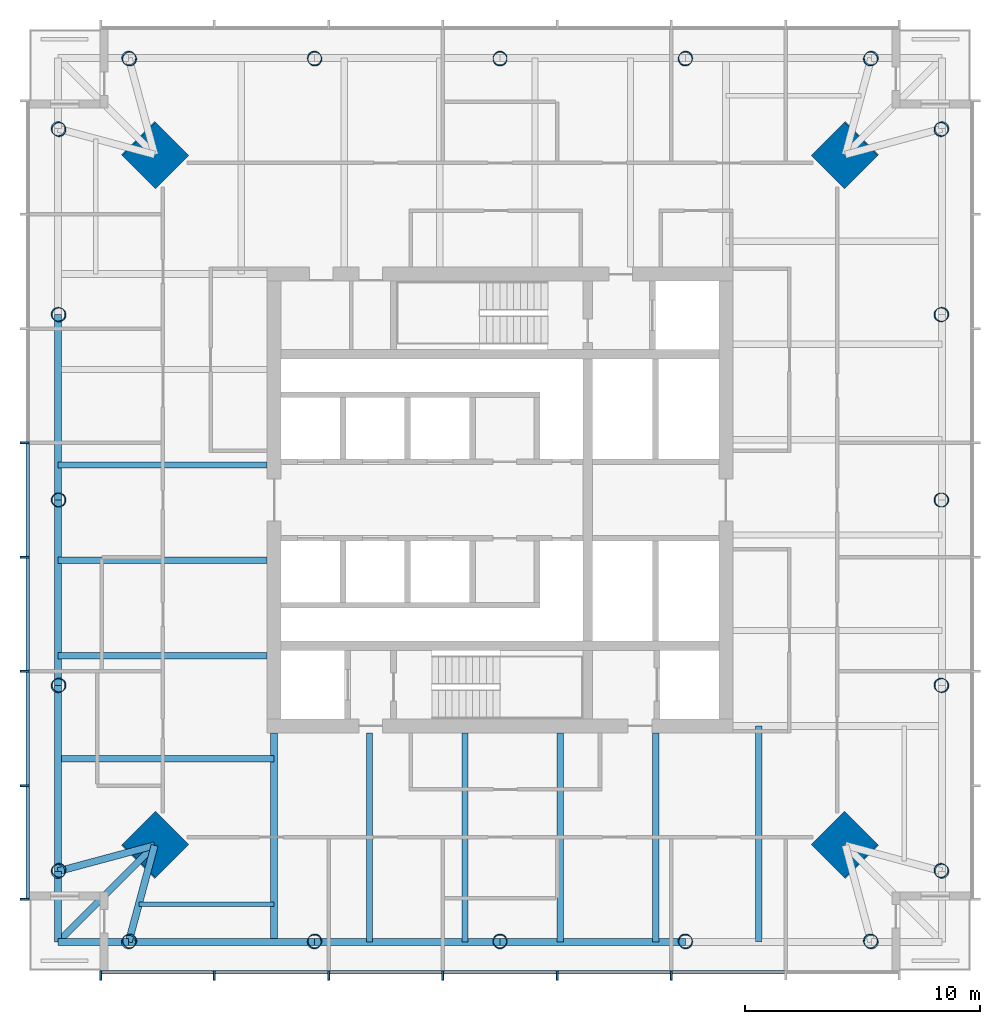
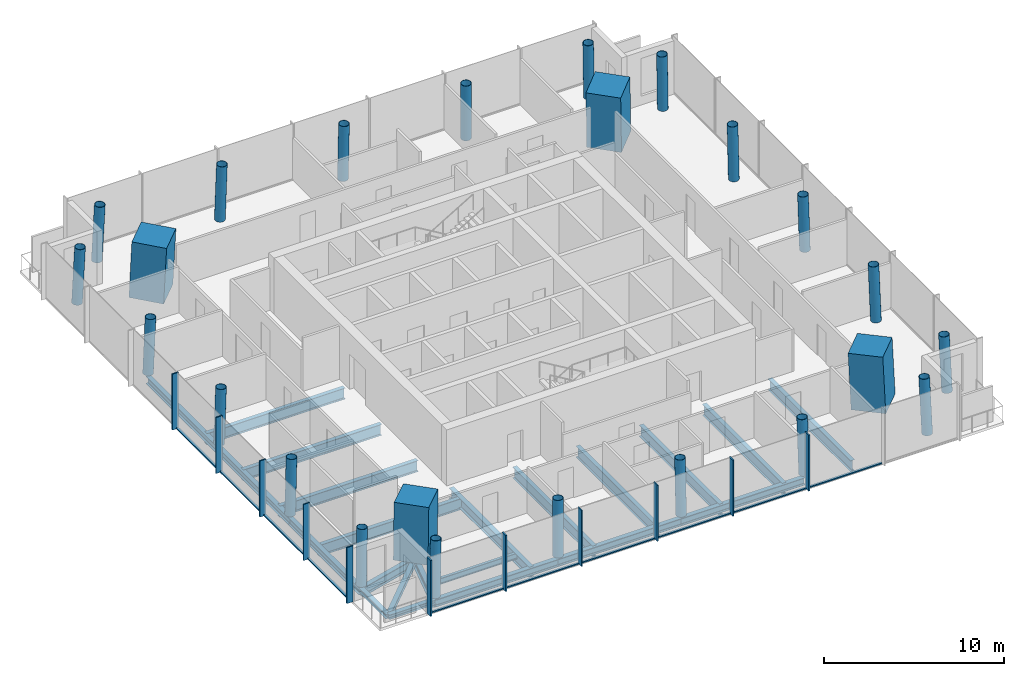
# One storey, part 1 of 7: 24 columns, 22 beams, 21 members, 2 elements without a shape of their own.
"""IFC4 building model written with IfcOpenShell, lengths in metres."""

from ifc_helpers import new_model, si_unit, direction, frame, origin, origin_2d, place, context, subcontext, project, spatial, rectangle, hollow_circle, i_section, extrude, material, material_profile, profile_set, type_object, element, aggregate, save


model = new_model("IFC4")

# Units and contexts
model_context = context("Model", 3, precision=1e-05, world=origin(), true_north=direction((0.0, 1.0)))
body_context = subcontext(model_context, "Body", "Model", "MODEL_VIEW")
ifc_project = project(units=[si_unit("LENGTHUNIT", "METRE"), si_unit("AREAUNIT", "SQUARE_METRE"), si_unit("VOLUMEUNIT", "CUBIC_METRE"), si_unit("PLANEANGLEUNIT", "RADIAN"), si_unit("MASSUNIT", "GRAM", prefix="KILO")], contexts=[model_context])

# Site, building, storey
site_placement = place(None, origin())
site = spatial("IfcSite", under=ifc_project, at=site_placement, CompositionType="ELEMENT")
building_placement = place(site_placement, origin())
building = spatial("IfcBuilding", under=site, at=building_placement, Name="Ostroluk Exchange", CompositionType="ELEMENT")
storey_placement = place(building_placement, frame((0.0, 0.0, 184.39990234375)))
storey = spatial("IfcBuildingStorey", under=building, at=storey_placement, Name="L47", CompositionType="ELEMENT", Elevation=184.39990234375)

# Columns
ifc_material_1 = material(Name="Concrete C50/60", Category="concrete")
ifc_material_profile_1 = material_profile(ifc_material_1, rectangle(XDim=2.0, YDim=2.0, at=origin_2d()), Name="RC 2000x2000")
ifc_profile_set_1 = profile_set([ifc_material_profile_1], Name="Concrete C50/60")
column_type_1 = type_object("IfcColumnType", Name="Mega column RC 2000x2000", PredefinedType="COLUMN", material=ifc_profile_set_1)
for number, where, z_axis, x_axis, name in (
    (1, (59.678466796875, 60.678466796875, 0.0), (-0.031898107953, -0.031898107953, 0.998981992539), (0.707106781187, -0.707106781187, 0.0), "T1 mega column NE"),
    (2, (30.321533203125, 60.678466796875, 0.0), (0.031898107953, -0.031898107953, 0.998981992539), (0.707106781187, 0.707106781187, 0.0), "T1 mega column NW"),
    (3, (30.321533203125, 31.321533203125, 0.0), (0.031898107953, 0.031898107953, 0.998981992539), (-0.707106781187, 0.707106781187, 0.0), "T1 mega column SW"),
    (4, (59.678466796875, 31.321533203125, 0.0), (-0.031898107953, 0.031898107953, 0.998981992539), (-0.707106781187, -0.707106781187, 0.0), "T1 mega column SE"),
):
    element("IfcColumn", number, at=place(storey_placement, frame(where, z_axis=z_axis, x_axis=x_axis)), inside=storey, type_object=column_type_1, Name=name, PredefinedType="COLUMN", context=body_context, shape_type="SweptSolid", body=[
        extrude(rectangle(XDim=2.0, YDim=2.0, at=origin_2d()), origin(), (0.0, 0.0, 1.0), 3.803955078125),
    ])
ifc_material_2 = material(Name="Steel S460", Category="steel")
ifc_material_profile_2 = material_profile(ifc_material_2, hollow_circle(Radius=0.304931640625, WallThickness=0.02490234375, at=origin_2d()), Name="CHS 610x25")
ifc_profile_set_2 = profile_set([ifc_material_profile_2], Name="Steel S460")
column_type_2 = type_object("IfcColumnType", Name="Perimeter column CHS 610x25", PredefinedType="COLUMN", material=ifc_profile_set_2)
for number, where, z_axis, x_axis, name in (
    (5, (63.778564453125, 30.221435546875, 0.0), (-0.031898107953, 0.031898107953, 0.998981992539), (-0.707106781187, -0.707106781187, 0.0), "T1 east face column E0"),
    (6, (63.778564453125, 61.778564453125, 0.0), (-0.031898107953, -0.031898107953, 0.998981992539), (0.707106781187, -0.707106781187, 0.0), "T1 east face column E1"),
):
    element("IfcColumn", number, at=place(storey_placement, frame(where, z_axis=z_axis, x_axis=x_axis)), inside=storey, type_object=column_type_2, Name=name, PredefinedType="COLUMN", context=body_context, shape_type="SweptSolid", body=[
        extrude(hollow_circle(Radius=0.304931640625, WallThickness=0.02490234375, at=origin_2d()), origin(), (0.0, 0.0, 1.0), 3.803955078125),
    ])
column_1_placement = place(storey_placement, frame((63.778564453125, 38.110595703125, 0.0), z_axis=(-0.031910269556, 0.015987237665, 0.999362868496), x_axis=(-0.447933021895, -0.894067115991, 0.0)))
element("IfcColumn", 7, at=column_1_placement, inside=storey, type_object=column_type_2, Name="T1 east face column I1", PredefinedType="COLUMN", context=body_context, shape_type="SweptSolid", body=[
    extrude(hollow_circle(Radius=0.304931640625, WallThickness=0.02490234375, at=origin_2d()), origin(), (0.0, 0.0, 1.0), 3.802490234375),
])
column_2_placement = place(storey_placement, frame((63.778564453125, 46.0, 0.0), z_axis=(-0.031914348339, 0.0, 0.999490607445), x_axis=(0.0, -1.0, 0.0)))
element("IfcColumn", 8, at=column_2_placement, inside=storey, type_object=column_type_2, Name="T1 east face column I2", PredefinedType="COLUMN", context=body_context, shape_type="SweptSolid", body=[
    extrude(hollow_circle(Radius=0.304931640625, WallThickness=0.02490234375, at=origin_2d()), origin(), (0.0, 0.0, 1.0), 3.802001953125),
])
column_3_placement = place(storey_placement, frame((63.778564453125, 53.889404296875, 0.0), z_axis=(-0.031910269556, -0.015987237665, 0.999362868496), x_axis=(0.447933021895, -0.894067115991, 0.0)))
element("IfcColumn", 9, at=column_3_placement, inside=storey, type_object=column_type_2, Name="T1 east face column I3", PredefinedType="COLUMN", context=body_context, shape_type="SweptSolid", body=[
    extrude(hollow_circle(Radius=0.304931640625, WallThickness=0.02490234375, at=origin_2d()), origin(), (0.0, 0.0, 1.0), 3.802490234375),
])
for number, where, z_axis, x_axis, name in (
    (10, (60.778564453125, 64.778564453125, 0.0), (-0.031898107953, -0.031898107953, 0.998981992539), (0.707106781187, -0.707106781187, 0.0), "T1 north face column E0"),
    (11, (29.221435546875, 64.778564453125, 0.0), (0.031898107953, -0.031898107953, 0.998981992539), (0.707106781187, 0.707106781187, 0.0), "T1 north face column E1"),
):
    element("IfcColumn", number, at=place(storey_placement, frame(where, z_axis=z_axis, x_axis=x_axis)), inside=storey, type_object=column_type_2, Name=name, PredefinedType="COLUMN", context=body_context, shape_type="SweptSolid", body=[
        extrude(hollow_circle(Radius=0.304931640625, WallThickness=0.02490234375, at=origin_2d()), origin(), (0.0, 0.0, 1.0), 3.803955078125),
    ])
column_4_placement = place(storey_placement, frame((52.889404296875, 64.778564453125, 0.0), z_axis=(-0.015987237665, -0.031910269556, 0.999362868496), x_axis=(0.894067115991, -0.447933021895, 0.0)))
element("IfcColumn", 12, at=column_4_placement, inside=storey, type_object=column_type_2, Name="T1 north face column I1", PredefinedType="COLUMN", context=body_context, shape_type="SweptSolid", body=[
    extrude(hollow_circle(Radius=0.304931640625, WallThickness=0.02490234375, at=origin_2d()), origin(), (0.0, 0.0, 1.0), 3.802490234375),
])
column_5_placement = place(storey_placement, frame((45.0, 64.778564453125, 0.0), z_axis=(0.0, -0.031914348339, 0.999490607445), x_axis=(1.0, 0.0, 0.0)))
element("IfcColumn", 13, at=column_5_placement, inside=storey, type_object=column_type_2, Name="T1 north face column I2", PredefinedType="COLUMN", context=body_context, shape_type="SweptSolid", body=[
    extrude(hollow_circle(Radius=0.304931640625, WallThickness=0.02490234375, at=origin_2d()), origin(), (0.0, 0.0, 1.0), 3.802001953125),
])
column_6_placement = place(storey_placement, frame((37.110595703125, 64.778564453125, 0.0), z_axis=(0.015987237665, -0.031910269556, 0.999362868496), x_axis=(0.894067115991, 0.447933021895, 0.0)))
element("IfcColumn", 14, at=column_6_placement, inside=storey, type_object=column_type_2, Name="T1 north face column I3", PredefinedType="COLUMN", context=body_context, shape_type="SweptSolid", body=[
    extrude(hollow_circle(Radius=0.304931640625, WallThickness=0.02490234375, at=origin_2d()), origin(), (0.0, 0.0, 1.0), 3.802490234375),
])
for number, where, z_axis, x_axis, name in (
    (15, (26.221435546875, 61.778564453125, 0.0), (0.031898107953, -0.031898107953, 0.998981992539), (0.707106781187, 0.707106781187, 0.0), "T1 west face column E0"),
    (16, (26.221435546875, 30.221435546875, 0.0), (0.031898107953, 0.031898107953, 0.998981992539), (-0.707106781187, 0.707106781187, 0.0), "T1 west face column E1"),
):
    element("IfcColumn", number, at=place(storey_placement, frame(where, z_axis=z_axis, x_axis=x_axis)), inside=storey, type_object=column_type_2, Name=name, PredefinedType="COLUMN", context=body_context, shape_type="SweptSolid", body=[
        extrude(hollow_circle(Radius=0.304931640625, WallThickness=0.02490234375, at=origin_2d()), origin(), (0.0, 0.0, 1.0), 3.803955078125),
    ])
column_7_placement = place(storey_placement, frame((26.221435546875, 53.889404296875, 0.0), z_axis=(0.031910269556, -0.015987237665, 0.999362868496), x_axis=(0.447933021895, 0.894067115991, 0.0)))
element("IfcColumn", 17, at=column_7_placement, inside=storey, type_object=column_type_2, Name="T1 west face column I1", PredefinedType="COLUMN", context=body_context, shape_type="SweptSolid", body=[
    extrude(hollow_circle(Radius=0.304931640625, WallThickness=0.02490234375, at=origin_2d()), origin(), (0.0, 0.0, 1.0), 3.802490234375),
])
column_8_placement = place(storey_placement, frame((26.221435546875, 46.0, 0.0), z_axis=(0.031914348339, 0.0, 0.999490607445), x_axis=(0.0, 1.0, 0.0)))
element("IfcColumn", 18, at=column_8_placement, inside=storey, type_object=column_type_2, Name="T1 west face column I2", PredefinedType="COLUMN", context=body_context, shape_type="SweptSolid", body=[
    extrude(hollow_circle(Radius=0.304931640625, WallThickness=0.02490234375, at=origin_2d()), origin(), (0.0, 0.0, 1.0), 3.802001953125),
])
column_9_placement = place(storey_placement, frame((26.221435546875, 38.110595703125, 0.0), z_axis=(0.031910269556, 0.015987237665, 0.999362868496), x_axis=(-0.447933021895, 0.894067115991, 0.0)))
element("IfcColumn", 19, at=column_9_placement, inside=storey, type_object=column_type_2, Name="T1 west face column I3", PredefinedType="COLUMN", context=body_context, shape_type="SweptSolid", body=[
    extrude(hollow_circle(Radius=0.304931640625, WallThickness=0.02490234375, at=origin_2d()), origin(), (0.0, 0.0, 1.0), 3.802490234375),
])
for number, where, z_axis, x_axis, name in (
    (20, (29.221435546875, 27.221435546875, 0.0), (0.031898107953, 0.031898107953, 0.998981992539), (-0.707106781187, 0.707106781187, 0.0), "T1 south face column E0"),
    (21, (60.778564453125, 27.221435546875, 0.0), (-0.031898107953, 0.031898107953, 0.998981992539), (-0.707106781187, -0.707106781187, 0.0), "T1 south face column E1"),
):
    element("IfcColumn", number, at=place(storey_placement, frame(where, z_axis=z_axis, x_axis=x_axis)), inside=storey, type_object=column_type_2, Name=name, PredefinedType="COLUMN", context=body_context, shape_type="SweptSolid", body=[
        extrude(hollow_circle(Radius=0.304931640625, WallThickness=0.02490234375, at=origin_2d()), origin(), (0.0, 0.0, 1.0), 3.803955078125),
    ])
column_10_placement = place(storey_placement, frame((37.110595703125, 27.221435546875, 0.0), z_axis=(0.015987237665, 0.031910269556, 0.999362868496), x_axis=(-0.894067115991, 0.447933021895, 0.0)))
element("IfcColumn", 22, at=column_10_placement, inside=storey, type_object=column_type_2, Name="T1 south face column I1", PredefinedType="COLUMN", context=body_context, shape_type="SweptSolid", body=[
    extrude(hollow_circle(Radius=0.304931640625, WallThickness=0.02490234375, at=origin_2d()), origin(), (0.0, 0.0, 1.0), 3.802490234375),
])
column_11_placement = place(storey_placement, frame((45.0, 27.221435546875, 0.0), z_axis=(0.0, 0.031914348339, 0.999490607445), x_axis=(-1.0, 0.0, 0.0)))
element("IfcColumn", 23, at=column_11_placement, inside=storey, type_object=column_type_2, Name="T1 south face column I2", PredefinedType="COLUMN", context=body_context, shape_type="SweptSolid", body=[
    extrude(hollow_circle(Radius=0.304931640625, WallThickness=0.02490234375, at=origin_2d()), origin(), (0.0, 0.0, 1.0), 3.802001953125),
])
column_12_placement = place(storey_placement, frame((52.889404296875, 27.221435546875, 0.0), z_axis=(-0.015987237665, 0.031910269556, 0.999362868496), x_axis=(-0.894067115991, -0.447933021895, 0.0)))
element("IfcColumn", 24, at=column_12_placement, inside=storey, type_object=column_type_2, Name="T1 south face column I3", PredefinedType="COLUMN", context=body_context, shape_type="SweptSolid", body=[
    extrude(hollow_circle(Radius=0.304931640625, WallThickness=0.02490234375, at=origin_2d()), origin(), (0.0, 0.0, 1.0), 3.802490234375),
])

# Beams
ifc_material_3 = material(Name="Steel S355", Category="steel")
ifc_material_profile_3 = material_profile(ifc_material_3, i_section(OverallWidth=0.300048828125, OverallDepth=0.300048828125, WebThickness=0.010986328125, FlangeThickness=0.01904296875, FilletRadius=0.027099609375, at=origin_2d()), Name="HEB 300")
ifc_profile_set_3 = profile_set([ifc_material_profile_3], Name="Steel S355")
beam_type_1 = type_object("IfcBeamType", Name="Balcony beam HEB 300", PredefinedType="BEAM", material=ifc_profile_set_3)
for number, where, z_axis, x_axis, name in (
    (25, (26.221435546875, 30.221435546875, -0.329833984375), (0.0, -1.0, 0.0), (1.0, 0.0, 0.0), "T1 west balcony beam a"),
    (26, (29.221435546875, 27.221435546875, -0.329833984375), (-1.0, 0.0, 0.0), (0.0, -1.0, 0.0), "T1 west balcony beam b"),
):
    element("IfcBeam", number, at=place(storey_placement, frame(where, z_axis=z_axis, x_axis=x_axis)), inside=storey, type_object=beam_type_1, Name=name, PredefinedType="BEAM", context=body_context, shape_type="SweptSolid", body=[
        extrude(i_section(OverallWidth=0.300048828125, OverallDepth=0.300048828125, WebThickness=0.010986328125, FlangeThickness=0.01904296875, FilletRadius=0.027099609375, at=origin_2d()), origin(), (0.0, 0.0, 1.0), 3.0),
    ])
beam_1_placement = place(storey_placement, frame((30.321533203125, 31.321533203125, -0.329833984375), z_axis=(-0.707106781187, -0.707106781187, 0.0), x_axis=(0.707106781187, -0.707106781187, 0.0)))
element("IfcBeam", 27, at=beam_1_placement, inside=storey, type_object=beam_type_1, Name="T1 west balcony beam c", PredefinedType="BEAM", context=body_context, shape_type="SweptSolid", body=[
    extrude(i_section(OverallWidth=0.300048828125, OverallDepth=0.300048828125, WebThickness=0.010986328125, FlangeThickness=0.01904296875, FilletRadius=0.027099609375, at=origin_2d()), origin(), (0.0, 0.0, 1.0), 5.79833984375),
])
ifc_material_4 = material(Name="Steel S355", Category="steel")
ifc_material_profile_4 = material_profile(ifc_material_4, i_section(OverallWidth=0.300048828125, OverallDepth=0.60009765625, WebThickness=0.015380859375, FlangeThickness=0.030029296875, FilletRadius=0.027099609375, at=origin_2d()), Name="HEB 600")
ifc_profile_set_4 = profile_set([ifc_material_profile_4], Name="Steel S355")
beam_type_2 = type_object("IfcBeamType", Name="Corner edge beam HEB 600", PredefinedType="SPANDREL", material=ifc_profile_set_4)
for number, where, z_axis, x_axis, name in (
    (28, (30.321533203125, 31.321533203125, -0.47998046875), (-0.965838624319, -0.259144268261, 0.0), (0.259144268261, -0.965838624319, 0.0), "T1 west corner edge beam a"),
    (29, (30.321533203125, 31.321533203125, -0.47998046875), (-0.259144268261, -0.965838624319, 0.0), (0.965838624319, -0.259144268261, 0.0), "T1 west corner edge beam b"),
):
    element("IfcBeam", number, at=place(storey_placement, frame(where, z_axis=z_axis, x_axis=x_axis)), inside=storey, type_object=beam_type_2, Name=name, PredefinedType="SPANDREL", context=body_context, shape_type="SweptSolid", body=[
        extrude(i_section(OverallWidth=0.300048828125, OverallDepth=0.60009765625, WebThickness=0.015380859375, FlangeThickness=0.030029296875, FilletRadius=0.027099609375, at=origin_2d()), origin(), (0.0, 0.0, 1.0), 4.2451171875),
    ])
ifc_material_5 = material(Name="Steel S355", Category="steel")
ifc_material_profile_5 = material_profile(ifc_material_5, i_section(OverallWidth=0.179931640625, OverallDepth=0.39990234375, WebThickness=0.008544921875, FlangeThickness=0.013427734375, FilletRadius=0.02099609375, at=origin_2d()), Name="IPE 400")
ifc_profile_set_5 = profile_set([ifc_material_profile_5], Name="Steel S355")
beam_type_3 = type_object("IfcBeamType", Name="Floor beam IPE 400", PredefinedType="BEAM", material=ifc_profile_set_5)
beam_2_placement = place(storey_placement, frame((35.39990234375, 28.821533203125, -0.3798828125), z_axis=(-1.0, 0.0, 0.0), x_axis=(0.0, -1.0, 0.0)))
element("IfcBeam", 30, at=beam_2_placement, inside=storey, type_object=beam_type_3, Name="T1 west floor beam 6", PredefinedType="BEAM", context=body_context, shape_type="SweptSolid", body=[
    extrude(i_section(OverallWidth=0.179931640625, OverallDepth=0.39990234375, WebThickness=0.008544921875, FlangeThickness=0.013427734375, FilletRadius=0.02099609375, at=origin_2d()), origin(), (0.0, 0.0, 1.0), 5.749267578125),
])
ifc_material_6 = material(Name="Steel S355", Category="steel")
ifc_material_profile_6 = material_profile(ifc_material_6, i_section(OverallWidth=0.264892578125, OverallDepth=0.7529296875, WebThickness=0.01318359375, FlangeThickness=0.01708984375, FilletRadius=0.01708984375, at=origin_2d()), Name="IPE 750x147")
ifc_profile_set_6 = profile_set([ifc_material_profile_6], Name="Steel S355")
beam_type_4 = type_object("IfcBeamType", Name="Floor beam IPE 750x147", PredefinedType="BEAM", material=ifc_profile_set_6)
for number, where, z_axis, x_axis, name in (
    (31, (35.10009765625, 47.491943359375, -0.556396484375), (-1.0, 0.0, 0.0), (0.0, -1.0, 0.0), "T1 west floor beam 2"),
    (32, (35.10009765625, 43.437744140625, -0.556396484375), (-1.0, 0.0, 0.0), (0.0, -1.0, 0.0), "T1 west floor beam 3"),
    (33, (35.10009765625, 39.3837890625, -0.556396484375), (-1.0, 0.0, 0.0), (0.0, -1.0, 0.0), "T1 west floor beam 4"),
):
    element("IfcBeam", number, at=place(storey_placement, frame(where, z_axis=z_axis, x_axis=x_axis)), inside=storey, type_object=beam_type_4, Name=name, PredefinedType="BEAM", context=body_context, shape_type="SweptSolid", body=[
        extrude(i_section(OverallWidth=0.264892578125, OverallDepth=0.7529296875, WebThickness=0.01318359375, FlangeThickness=0.01708984375, FilletRadius=0.01708984375, at=origin_2d()), origin(), (0.0, 0.0, 1.0), 8.878662109375),
    ])
beam_3_placement = place(storey_placement, frame((35.39990234375, 35.0, -0.556396484375), z_axis=(-1.0, 0.0, 0.0), x_axis=(0.0, -1.0, 0.0)))
element("IfcBeam", 34, at=beam_3_placement, inside=storey, type_object=beam_type_4, Name="T1 west floor beam 5", PredefinedType="BEAM", context=body_context, shape_type="SweptSolid", body=[
    extrude(i_section(OverallWidth=0.264892578125, OverallDepth=0.7529296875, WebThickness=0.01318359375, FlangeThickness=0.01708984375, FilletRadius=0.01708984375, at=origin_2d()), origin(), (0.0, 0.0, 1.0), 9.178466796875),
])
for number, where, z_axis, x_axis, name in (
    (35, (39.4541015625, 36.10009765625, -0.556396484375), (0.0, -1.0, 0.0), (1.0, 0.0, 0.0), "T1 south floor beam 1"),
    (36, (43.508056640625, 36.10009765625, -0.556396484375), (0.0, -1.0, 0.0), (1.0, 0.0, 0.0), "T1 south floor beam 2"),
    (37, (47.562255859375, 36.10009765625, -0.556396484375), (0.0, -1.0, 0.0), (1.0, 0.0, 0.0), "T1 south floor beam 3"),
    (38, (51.6162109375, 36.10009765625, -0.556396484375), (0.0, -1.0, 0.0), (1.0, 0.0, 0.0), "T1 south floor beam 4"),
):
    element("IfcBeam", number, at=place(storey_placement, frame(where, z_axis=z_axis, x_axis=x_axis)), inside=storey, type_object=beam_type_4, Name=name, PredefinedType="BEAM", context=body_context, shape_type="SweptSolid", body=[
        extrude(i_section(OverallWidth=0.264892578125, OverallDepth=0.7529296875, WebThickness=0.01318359375, FlangeThickness=0.01708984375, FilletRadius=0.01708984375, at=origin_2d()), origin(), (0.0, 0.0, 1.0), 8.878662109375),
    ])
beam_4_placement = place(storey_placement, frame((56.0, 36.39990234375, -0.556396484375), z_axis=(0.0, -1.0, 0.0), x_axis=(1.0, 0.0, 0.0)))
element("IfcBeam", 39, at=beam_4_placement, inside=storey, type_object=beam_type_4, Name="T1 south floor beam 5", PredefinedType="BEAM", context=body_context, shape_type="SweptSolid", body=[
    extrude(i_section(OverallWidth=0.264892578125, OverallDepth=0.7529296875, WebThickness=0.01318359375, FlangeThickness=0.01708984375, FilletRadius=0.01708984375, at=origin_2d()), origin(), (0.0, 0.0, 1.0), 9.178466796875),
])
ifc_material_7 = material(Name="Steel S355", Category="steel")
ifc_material_profile_7 = material_profile(ifc_material_7, i_section(OverallWidth=0.300048828125, OverallDepth=0.699951171875, WebThickness=0.01708984375, FlangeThickness=0.031982421875, FilletRadius=0.027099609375, at=origin_2d()), Name="HEB 700")
ifc_profile_set_7 = profile_set([ifc_material_profile_7], Name="Steel S355")
beam_type_5 = type_object("IfcBeamType", Name="Girder HEB 700", PredefinedType="BEAM", material=ifc_profile_set_7)
beam_5_placement = place(storey_placement, frame((35.39990234375, 36.10009765625, -0.52978515625), z_axis=(0.0, -1.0, 0.0), x_axis=(1.0, 0.0, 0.0)))
element("IfcBeam", 40, at=beam_5_placement, inside=storey, type_object=beam_type_5, Name="T1 west girder", PredefinedType="BEAM", context=body_context, shape_type="SweptSolid", body=[
    extrude(i_section(OverallWidth=0.300048828125, OverallDepth=0.699951171875, WebThickness=0.01708984375, FlangeThickness=0.031982421875, FilletRadius=0.027099609375, at=origin_2d()), origin(), (0.0, 0.0, 1.0), 8.878662109375),
])
ifc_material_8 = material(Name="Steel S355", Category="steel")
ifc_material_profile_8 = material_profile(ifc_material_8, i_section(OverallWidth=0.300048828125, OverallDepth=0.5, WebThickness=0.014404296875, FlangeThickness=0.028076171875, FilletRadius=0.027099609375, at=origin_2d()), Name="HEB 500")
ifc_profile_set_8 = profile_set([ifc_material_profile_8], Name="Steel S355")
beam_type_6 = type_object("IfcBeamType", Name="Moment-connected edge beam HEB 500", PredefinedType="SPANDREL", material=ifc_profile_set_8)
for number, where, z_axis, x_axis, name in (
    (41, (26.221435546875, 53.889404296875, -0.429931640625), (0.0, -1.0, 0.0), (1.0, 0.0, 0.0), "T1 west edge beam 2"),
    (42, (26.221435546875, 46.0, -0.429931640625), (0.0, -1.0, 0.0), (1.0, 0.0, 0.0), "T1 west edge beam 3"),
):
    element("IfcBeam", number, at=place(storey_placement, frame(where, z_axis=z_axis, x_axis=x_axis)), inside=storey, type_object=beam_type_6, Name=name, PredefinedType="SPANDREL", context=body_context, shape_type="SweptSolid", body=[
        extrude(i_section(OverallWidth=0.300048828125, OverallDepth=0.5, WebThickness=0.014404296875, FlangeThickness=0.028076171875, FilletRadius=0.027099609375, at=origin_2d()), origin(), (0.0, 0.0, 1.0), 7.889404296875),
    ])
for number, where, z_axis, x_axis, name in (
    (43, (26.221435546875, 38.110595703125, -0.429931640625), (0.0, -1.0, 0.0), (1.0, 0.0, 0.0), "T1 west edge beam 4"),
    (44, (29.221435546875, 27.221435546875, -0.429931640625), (1.0, 0.0, 0.0), (0.0, 1.0, 0.0), "T1 south edge beam 1"),
):
    element("IfcBeam", number, at=place(storey_placement, frame(where, z_axis=z_axis, x_axis=x_axis)), inside=storey, type_object=beam_type_6, Name=name, PredefinedType="SPANDREL", context=body_context, shape_type="SweptSolid", body=[
        extrude(i_section(OverallWidth=0.300048828125, OverallDepth=0.5, WebThickness=0.014404296875, FlangeThickness=0.028076171875, FilletRadius=0.027099609375, at=origin_2d()), origin(), (0.0, 0.0, 1.0), 7.88916015625),
    ])
for number, where, z_axis, x_axis, name in (
    (45, (37.110595703125, 27.221435546875, -0.429931640625), (1.0, 0.0, 0.0), (0.0, 1.0, 0.0), "T1 south edge beam 2"),
    (46, (45.0, 27.221435546875, -0.429931640625), (1.0, 0.0, 0.0), (0.0, 1.0, 0.0), "T1 south edge beam 3"),
):
    element("IfcBeam", number, at=place(storey_placement, frame(where, z_axis=z_axis, x_axis=x_axis)), inside=storey, type_object=beam_type_6, Name=name, PredefinedType="SPANDREL", context=body_context, shape_type="SweptSolid", body=[
        extrude(i_section(OverallWidth=0.300048828125, OverallDepth=0.5, WebThickness=0.014404296875, FlangeThickness=0.028076171875, FilletRadius=0.027099609375, at=origin_2d()), origin(), (0.0, 0.0, 1.0), 7.889404296875),
    ])

# Curtain wall, members
ifc_material_9 = material(Name="Laminated clear glass", Category="glass")
curtain_wall_type = type_object("IfcCurtainWallType", Name="Office tower facade", PredefinedType="USERDEFINED", material=ifc_material_9)
curtain_wall_1_placement = place(storey_placement, origin())
curtain_wall_1 = element("IfcCurtainWall", 47, at=curtain_wall_1_placement, inside=storey, type_object=curtain_wall_type, Name="Office tower south facade L47", ObjectType="UNITISED CURTAIN WALL", PredefinedType="USERDEFINED")
ifc_material_10 = material(Name="Aluminium mullion", Category="aluminium")
ifc_material_profile_9 = material_profile(ifc_material_10, rectangle(XDim=0.14990234375, YDim=0.080078125, at=origin_2d()), Name="Sill transom 80 x 150")
ifc_profile_set_9 = profile_set([ifc_material_profile_9], Name="Aluminium mullion")
member_type_1 = type_object("IfcMemberType", Name="Sill transom 80 x 150", PredefinedType="USERDEFINED", material=ifc_profile_set_9)
member_1_placement = place(storey_placement, frame((28.080078125, 25.925048828125, 0.0400390625), z_axis=(1.0, 0.0, 0.0), x_axis=(0.0, 1.0, 0.0)))
member_1 = element("IfcMember", 48, at=member_1_placement, type_object=member_type_1, Name="CW-O1 transom 1.1", ObjectType="TRANSOM", PredefinedType="USERDEFINED", context=body_context, shape_type="SweptSolid", body=[
    extrude(rectangle(XDim=0.14990234375, YDim=0.080078125, at=origin_2d()), origin(), (0.0, 0.0, 1.0), 4.737060546875),
])
member_2_placement = place(storey_placement, frame((32.897216796875, 25.925048828125, 0.0400390625), z_axis=(1.0, 0.0, 0.0), x_axis=(0.0, 1.0, 0.0)))
member_2 = element("IfcMember", 49, at=member_2_placement, type_object=member_type_1, Name="CW-O1 transom 2.1", ObjectType="TRANSOM", PredefinedType="USERDEFINED", context=body_context, shape_type="SweptSolid", body=[
    extrude(rectangle(XDim=0.14990234375, YDim=0.080078125, at=origin_2d()), origin(), (0.0, 0.0, 1.0), 4.777099609375),
])
member_3_placement = place(storey_placement, frame((37.75439453125, 25.925048828125, 0.0400390625), z_axis=(1.0, 0.0, 0.0), x_axis=(0.0, 1.0, 0.0)))
member_3 = element("IfcMember", 50, at=member_3_placement, type_object=member_type_1, Name="CW-O1 transom 3.1", ObjectType="TRANSOM", PredefinedType="USERDEFINED", context=body_context, shape_type="SweptSolid", body=[
    extrude(rectangle(XDim=0.14990234375, YDim=0.080078125, at=origin_2d()), origin(), (0.0, 0.0, 1.0), 4.777099609375),
])
member_4_placement = place(storey_placement, frame((42.611328125, 25.925048828125, 0.0400390625), z_axis=(1.0, 0.0, 0.0), x_axis=(0.0, 1.0, 0.0)))
member_4 = element("IfcMember", 51, at=member_4_placement, type_object=member_type_1, Name="CW-O1 transom 4.1", ObjectType="TRANSOM", PredefinedType="USERDEFINED", context=body_context, shape_type="SweptSolid", body=[
    extrude(rectangle(XDim=0.14990234375, YDim=0.080078125, at=origin_2d()), origin(), (0.0, 0.0, 1.0), 4.77734375),
])
member_5_placement = place(storey_placement, frame((47.468505859375, 25.925048828125, 0.0400390625), z_axis=(1.0, 0.0, 0.0), x_axis=(0.0, 1.0, 0.0)))
member_5 = element("IfcMember", 52, at=member_5_placement, type_object=member_type_1, Name="CW-O1 transom 5.1", ObjectType="TRANSOM", PredefinedType="USERDEFINED", context=body_context, shape_type="SweptSolid", body=[
    extrude(rectangle(XDim=0.14990234375, YDim=0.080078125, at=origin_2d()), origin(), (0.0, 0.0, 1.0), 4.777099609375),
])
member_6_placement = place(storey_placement, frame((52.32568359375, 25.925048828125, 0.0400390625), z_axis=(1.0, 0.0, 0.0), x_axis=(0.0, 1.0, 0.0)))
member_6 = element("IfcMember", 53, at=member_6_placement, type_object=member_type_1, Name="CW-O1 transom 6.1", ObjectType="TRANSOM", PredefinedType="USERDEFINED", context=body_context, shape_type="SweptSolid", body=[
    extrude(rectangle(XDim=0.14990234375, YDim=0.080078125, at=origin_2d()), origin(), (0.0, 0.0, 1.0), 4.777099609375),
])

curtain_wall_2_placement = place(storey_placement, origin())
curtain_wall_2 = element("IfcCurtainWall", 54, at=curtain_wall_2_placement, inside=storey, type_object=curtain_wall_type, Name="Office tower west facade L47", ObjectType="UNITISED CURTAIN WALL", PredefinedType="USERDEFINED")
member_7_placement = place(storey_placement, frame((24.925048828125, 48.388671875, 0.0400390625), z_axis=(0.0, -1.0, 0.0), x_axis=(1.0, 0.0, 0.0)))
member_7 = element("IfcMember", 55, at=member_7_placement, type_object=member_type_1, Name="CW-O1 transom 4.1", ObjectType="TRANSOM", PredefinedType="USERDEFINED", context=body_context, shape_type="SweptSolid", body=[
    extrude(rectangle(XDim=0.14990234375, YDim=0.080078125, at=origin_2d()), origin(), (0.0, 0.0, 1.0), 4.77734375),
])
member_8_placement = place(storey_placement, frame((24.925048828125, 43.531494140625, 0.0400390625), z_axis=(0.0, -1.0, 0.0), x_axis=(1.0, 0.0, 0.0)))
member_8 = element("IfcMember", 56, at=member_8_placement, type_object=member_type_1, Name="CW-O1 transom 5.1", ObjectType="TRANSOM", PredefinedType="USERDEFINED", context=body_context, shape_type="SweptSolid", body=[
    extrude(rectangle(XDim=0.14990234375, YDim=0.080078125, at=origin_2d()), origin(), (0.0, 0.0, 1.0), 4.777099609375),
])
member_9_placement = place(storey_placement, frame((24.925048828125, 38.67431640625, 0.0400390625), z_axis=(0.0, -1.0, 0.0), x_axis=(1.0, 0.0, 0.0)))
member_9 = element("IfcMember", 57, at=member_9_placement, type_object=member_type_1, Name="CW-O1 transom 6.1", ObjectType="TRANSOM", PredefinedType="USERDEFINED", context=body_context, shape_type="SweptSolid", body=[
    extrude(rectangle(XDim=0.14990234375, YDim=0.080078125, at=origin_2d()), origin(), (0.0, 0.0, 1.0), 4.777099609375),
])
member_10_placement = place(storey_placement, frame((24.925048828125, 33.817138671875, 0.0400390625), z_axis=(0.0, -1.0, 0.0), x_axis=(1.0, 0.0, 0.0)))
member_10 = element("IfcMember", 58, at=member_10_placement, type_object=member_type_1, Name="CW-O1 transom 7.1", ObjectType="TRANSOM", PredefinedType="USERDEFINED", context=body_context, shape_type="SweptSolid", body=[
    extrude(rectangle(XDim=0.14990234375, YDim=0.080078125, at=origin_2d()), origin(), (0.0, 0.0, 1.0), 4.737060546875),
])

# Member
ifc_material_11 = material(Name="Aluminium mullion with limestone facing", Category="masonry")
ifc_material_profile_10 = material_profile(ifc_material_11, rectangle(XDim=0.39990234375, YDim=0.080078125, at=origin_2d()), Name="Tracery mullion 80 x 400")
ifc_profile_set_10 = profile_set([ifc_material_profile_10], Name="Aluminium mullion with limestone facing")
member_type_2 = type_object("IfcMemberType", Name="Tracery mullion 80 x 400", PredefinedType="MULLION", material=ifc_profile_set_10)
member_11_placement = place(storey_placement, frame((28.0400390625, 25.800048828125, 0.0), z_axis=(0.0, 0.0, 1.0), x_axis=(0.0, 1.0, 0.0)))
member_11 = element("IfcMember", 59, at=member_11_placement, type_object=member_type_2, Name="CW-O1 mullion 1", PredefinedType="MULLION", context=body_context, shape_type="SweptSolid", body=[
    extrude(rectangle(XDim=0.39990234375, YDim=0.080078125, at=origin_2d()), origin(), (0.0, 0.0, 1.0), 3.800048828125),
])

member_12_placement = place(storey_placement, frame((32.857177734375, 25.800048828125, 0.0), z_axis=(0.0, 0.0, 1.0), x_axis=(0.0, 1.0, 0.0)))
member_12 = element("IfcMember", 60, at=member_12_placement, type_object=member_type_2, Name="CW-O1 mullion 2", PredefinedType="MULLION", context=body_context, shape_type="SweptSolid", body=[
    extrude(rectangle(XDim=0.39990234375, YDim=0.080078125, at=origin_2d()), origin(), (0.0, 0.0, 1.0), 3.800048828125),
])

member_13_placement = place(storey_placement, frame((37.71435546875, 25.800048828125, 0.0), z_axis=(0.0, 0.0, 1.0), x_axis=(0.0, 1.0, 0.0)))
member_13 = element("IfcMember", 61, at=member_13_placement, type_object=member_type_2, Name="CW-O1 mullion 3", PredefinedType="MULLION", context=body_context, shape_type="SweptSolid", body=[
    extrude(rectangle(XDim=0.39990234375, YDim=0.080078125, at=origin_2d()), origin(), (0.0, 0.0, 1.0), 3.800048828125),
])

member_14_placement = place(storey_placement, frame((42.571533203125, 25.800048828125, 0.0), z_axis=(0.0, 0.0, 1.0), x_axis=(0.0, 1.0, 0.0)))
member_14 = element("IfcMember", 62, at=member_14_placement, type_object=member_type_2, Name="CW-O1 mullion 4", PredefinedType="MULLION", context=body_context, shape_type="SweptSolid", body=[
    extrude(rectangle(XDim=0.39990234375, YDim=0.080078125, at=origin_2d()), origin(), (0.0, 0.0, 1.0), 3.800048828125),
])

member_15_placement = place(storey_placement, frame((47.428466796875, 25.800048828125, 0.0), z_axis=(0.0, 0.0, 1.0), x_axis=(0.0, 1.0, 0.0)))
member_15 = element("IfcMember", 63, at=member_15_placement, type_object=member_type_2, Name="CW-O1 mullion 5", PredefinedType="MULLION", context=body_context, shape_type="SweptSolid", body=[
    extrude(rectangle(XDim=0.39990234375, YDim=0.080078125, at=origin_2d()), origin(), (0.0, 0.0, 1.0), 3.800048828125),
])

member_16_placement = place(storey_placement, frame((52.28564453125, 25.800048828125, 0.0), z_axis=(0.0, 0.0, 1.0), x_axis=(0.0, 1.0, 0.0)))
member_16 = element("IfcMember", 64, at=member_16_placement, type_object=member_type_2, Name="CW-O1 mullion 6", PredefinedType="MULLION", context=body_context, shape_type="SweptSolid", body=[
    extrude(rectangle(XDim=0.39990234375, YDim=0.080078125, at=origin_2d()), origin(), (0.0, 0.0, 1.0), 3.800048828125),
])

aggregate(curtain_wall_1, [member_11, member_12, member_13, member_14, member_15, member_16, member_1, member_2, member_3, member_4, member_5, member_6])

member_17_placement = place(storey_placement, frame((24.800048828125, 48.428466796875, 0.0), z_axis=(0.0, 0.0, 1.0), x_axis=(1.0, 0.0, 0.0)))
member_17 = element("IfcMember", 65, at=member_17_placement, type_object=member_type_2, Name="CW-O1 mullion 4", PredefinedType="MULLION", context=body_context, shape_type="SweptSolid", body=[
    extrude(rectangle(XDim=0.39990234375, YDim=0.080078125, at=origin_2d()), origin(), (0.0, 0.0, 1.0), 3.800048828125),
])

member_18_placement = place(storey_placement, frame((24.800048828125, 43.571533203125, 0.0), z_axis=(0.0, 0.0, 1.0), x_axis=(1.0, 0.0, 0.0)))
member_18 = element("IfcMember", 66, at=member_18_placement, type_object=member_type_2, Name="CW-O1 mullion 5", PredefinedType="MULLION", context=body_context, shape_type="SweptSolid", body=[
    extrude(rectangle(XDim=0.39990234375, YDim=0.080078125, at=origin_2d()), origin(), (0.0, 0.0, 1.0), 3.800048828125),
])

member_19_placement = place(storey_placement, frame((24.800048828125, 38.71435546875, 0.0), z_axis=(0.0, 0.0, 1.0), x_axis=(1.0, 0.0, 0.0)))
member_19 = element("IfcMember", 67, at=member_19_placement, type_object=member_type_2, Name="CW-O1 mullion 6", PredefinedType="MULLION", context=body_context, shape_type="SweptSolid", body=[
    extrude(rectangle(XDim=0.39990234375, YDim=0.080078125, at=origin_2d()), origin(), (0.0, 0.0, 1.0), 3.800048828125),
])

member_20_placement = place(storey_placement, frame((24.800048828125, 33.857177734375, 0.0), z_axis=(0.0, 0.0, 1.0), x_axis=(1.0, 0.0, 0.0)))
member_20 = element("IfcMember", 68, at=member_20_placement, type_object=member_type_2, Name="CW-O1 mullion 7", PredefinedType="MULLION", context=body_context, shape_type="SweptSolid", body=[
    extrude(rectangle(XDim=0.39990234375, YDim=0.080078125, at=origin_2d()), origin(), (0.0, 0.0, 1.0), 3.800048828125),
])

member_21_placement = place(storey_placement, frame((24.800048828125, 29.0400390625, 0.0), z_axis=(0.0, 0.0, 1.0), x_axis=(1.0, 0.0, 0.0)))
member_21 = element("IfcMember", 69, at=member_21_placement, type_object=member_type_2, Name="CW-O1 mullion 8", PredefinedType="MULLION", context=body_context, shape_type="SweptSolid", body=[
    extrude(rectangle(XDim=0.39990234375, YDim=0.080078125, at=origin_2d()), origin(), (0.0, 0.0, 1.0), 3.800048828125),
])

aggregate(curtain_wall_2, [member_17, member_18, member_19, member_20, member_21, member_7, member_8, member_9, member_10])

save(model, "model.ifc")
